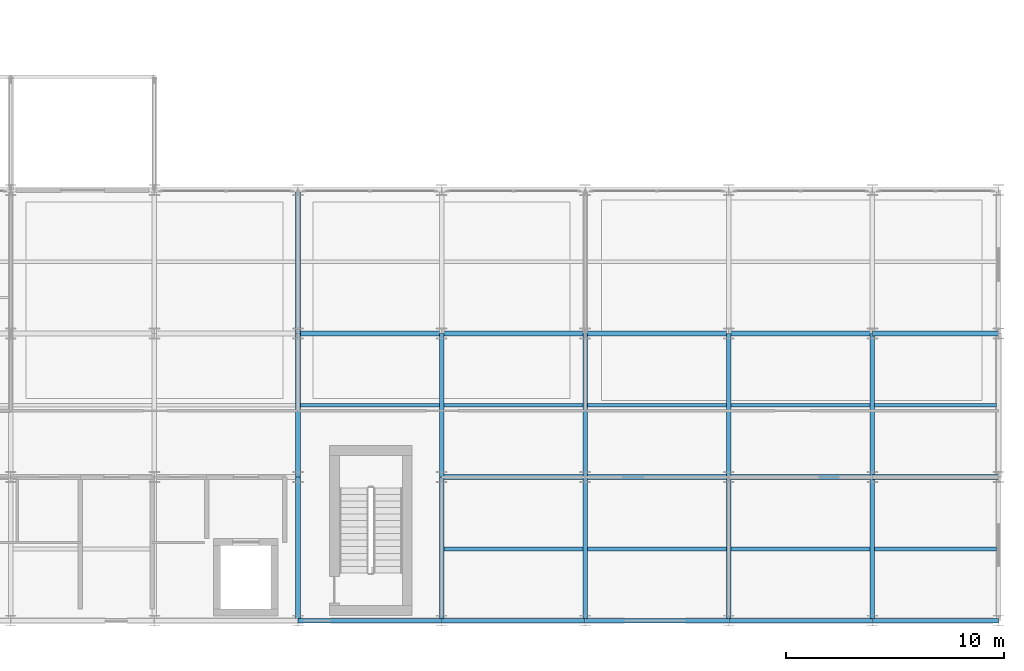
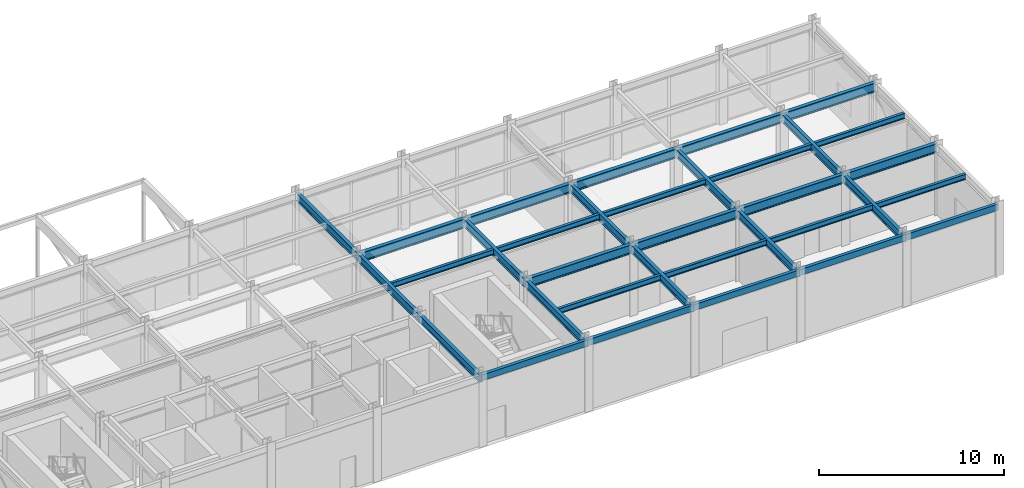
# One storey, part 92 of 144: 34 beams.
"""IFC4 building model written with IfcOpenShell, lengths in metres."""

from ifc_helpers import new_model, si_unit, direction, frame, origin, origin_2d, place, context, subcontext, project, spatial, hollow_rectangle, i_section, extrude, material, material_profile, profile_set, type_object, element, save


model = new_model("IFC4")

# Units and contexts
model_context = context("Model", 3, precision=1e-05, world=origin(), true_north=direction((0.0, 1.0)))
body_context = subcontext(model_context, "Body", "Model", "MODEL_VIEW")
ifc_project = project(units=[si_unit("LENGTHUNIT", "METRE"), si_unit("AREAUNIT", "SQUARE_METRE"), si_unit("VOLUMEUNIT", "CUBIC_METRE"), si_unit("PLANEANGLEUNIT", "RADIAN"), si_unit("MASSUNIT", "GRAM", prefix="KILO")], contexts=[model_context])

# Site, building, storey
site_placement = place(None, origin())
site = spatial("IfcSite", under=ifc_project, at=site_placement, CompositionType="ELEMENT")
building_placement = place(site_placement, origin())
building = spatial("IfcBuilding", under=site, at=building_placement, Name="Karori Crest Natural Sciences Institute", CompositionType="ELEMENT")
storey_placement = place(building_placement, origin())
storey = spatial("IfcBuildingStorey", under=building, at=storey_placement, Name="L00", CompositionType="ELEMENT", Elevation=0.0)

# Beams
ifc_material_1 = material(Name="Structural steel AS/NZS 3679.1 Grade 350", Category="steel")
ifc_material_profile_1 = material_profile(ifc_material_1, i_section(OverallWidth=0.22900390625, OverallDepth=0.612060546875, WebThickness=0.011962890625, FlangeThickness=0.01953125, FilletRadius=0.013916015625, at=origin_2d()), Name="610UB125")
ifc_profile_set_1 = profile_set([ifc_material_profile_1], Name="Structural steel AS/NZS 3679.1 Grade 350")
beam_type_1 = type_object("IfcBeamType", Name="BT-04", PredefinedType="BEAM", material=ifc_profile_set_1)
beam_1_placement = place(storey_placement, frame((136.60009765625, 7.39990234375, 4.31396484375), z_axis=(1.0, 0.0, 0.0), x_axis=(0.0, 1.0, 0.0)))
element("IfcBeam", 1, at=beam_1_placement, inside=storey, type_object=beam_type_1, Name="Beam B-2033", PredefinedType="BEAM", context=body_context, shape_type="SweptSolid", body=[
    extrude(i_section(OverallWidth=0.22900390625, OverallDepth=0.612060546875, WebThickness=0.011962890625, FlangeThickness=0.01953125, FilletRadius=0.013916015625, at=origin_2d()), origin(), (0.0, 0.0, 1.0), 6.599853515625),
])
beam_2_placement = place(storey_placement, frame((143.199951171875, 7.39990234375, 4.31396484375), z_axis=(1.0, 0.0, 0.0), x_axis=(0.0, 1.0, 0.0)))
element("IfcBeam", 2, at=beam_2_placement, inside=storey, type_object=beam_type_1, Name="Beam B-2034", PredefinedType="BEAM", context=body_context, shape_type="SweptSolid", body=[
    extrude(i_section(OverallWidth=0.22900390625, OverallDepth=0.612060546875, WebThickness=0.011962890625, FlangeThickness=0.01953125, FilletRadius=0.013916015625, at=origin_2d()), origin(), (0.0, 0.0, 1.0), 6.60009765625),
])
beam_3_placement = place(storey_placement, frame((149.800048828125, 7.39990234375, 4.31396484375), z_axis=(1.0, 0.0, 0.0), x_axis=(0.0, 1.0, 0.0)))
element("IfcBeam", 3, at=beam_3_placement, inside=storey, type_object=beam_type_1, Name="Beam B-2035", PredefinedType="BEAM", context=body_context, shape_type="SweptSolid", body=[
    extrude(i_section(OverallWidth=0.22900390625, OverallDepth=0.612060546875, WebThickness=0.011962890625, FlangeThickness=0.01953125, FilletRadius=0.013916015625, at=origin_2d()), origin(), (0.0, 0.0, 1.0), 6.599853515625),
])
beam_4_placement = place(storey_placement, frame((156.39990234375, 7.39990234375, 4.31396484375), z_axis=(1.0, 0.0, 0.0), x_axis=(0.0, 1.0, 0.0)))
element("IfcBeam", 4, at=beam_4_placement, inside=storey, type_object=beam_type_1, Name="Beam B-2036", PredefinedType="BEAM", context=body_context, shape_type="SweptSolid", body=[
    extrude(i_section(OverallWidth=0.22900390625, OverallDepth=0.612060546875, WebThickness=0.011962890625, FlangeThickness=0.01953125, FilletRadius=0.013916015625, at=origin_2d()), origin(), (0.0, 0.0, 1.0), 5.800048828125),
])
beam_5_placement = place(storey_placement, frame((130.0, 14.0, 4.31396484375), z_axis=(1.0, 0.0, 0.0), x_axis=(0.0, 1.0, 0.0)))
element("IfcBeam", 5, at=beam_5_placement, inside=storey, type_object=beam_type_1, Name="Beam B-2041", PredefinedType="BEAM", context=body_context, shape_type="SweptSolid", body=[
    extrude(i_section(OverallWidth=0.22900390625, OverallDepth=0.612060546875, WebThickness=0.011962890625, FlangeThickness=0.01953125, FilletRadius=0.013916015625, at=origin_2d()), origin(), (0.0, 0.0, 1.0), 6.60009765625),
])
beam_6_placement = place(storey_placement, frame((136.60009765625, 14.0, 4.31396484375), z_axis=(1.0, 0.0, 0.0), x_axis=(0.0, 1.0, 0.0)))
element("IfcBeam", 6, at=beam_6_placement, inside=storey, type_object=beam_type_1, Name="Beam B-2042", PredefinedType="BEAM", context=body_context, shape_type="SweptSolid", body=[
    extrude(i_section(OverallWidth=0.22900390625, OverallDepth=0.612060546875, WebThickness=0.011962890625, FlangeThickness=0.01953125, FilletRadius=0.013916015625, at=origin_2d()), origin(), (0.0, 0.0, 1.0), 6.599853515625),
])
beam_7_placement = place(storey_placement, frame((143.199951171875, 14.0, 4.31396484375), z_axis=(1.0, 0.0, 0.0), x_axis=(0.0, 1.0, 0.0)))
element("IfcBeam", 7, at=beam_7_placement, inside=storey, type_object=beam_type_1, Name="Beam B-2043", PredefinedType="BEAM", context=body_context, shape_type="SweptSolid", body=[
    extrude(i_section(OverallWidth=0.22900390625, OverallDepth=0.612060546875, WebThickness=0.011962890625, FlangeThickness=0.01953125, FilletRadius=0.013916015625, at=origin_2d()), origin(), (0.0, 0.0, 1.0), 6.60009765625),
])
beam_8_placement = place(storey_placement, frame((149.800048828125, 14.0, 4.31396484375), z_axis=(1.0, 0.0, 0.0), x_axis=(0.0, 1.0, 0.0)))
element("IfcBeam", 8, at=beam_8_placement, inside=storey, type_object=beam_type_1, Name="Beam B-2044", PredefinedType="BEAM", context=body_context, shape_type="SweptSolid", body=[
    extrude(i_section(OverallWidth=0.22900390625, OverallDepth=0.612060546875, WebThickness=0.011962890625, FlangeThickness=0.01953125, FilletRadius=0.013916015625, at=origin_2d()), origin(), (0.0, 0.0, 1.0), 6.599853515625),
])
beam_9_placement = place(storey_placement, frame((156.39990234375, 14.0, 4.31396484375), z_axis=(1.0, 0.0, 0.0), x_axis=(0.0, 1.0, 0.0)))
element("IfcBeam", 9, at=beam_9_placement, inside=storey, type_object=beam_type_1, Name="Beam B-2045", PredefinedType="BEAM", context=body_context, shape_type="SweptSolid", body=[
    extrude(i_section(OverallWidth=0.22900390625, OverallDepth=0.612060546875, WebThickness=0.011962890625, FlangeThickness=0.01953125, FilletRadius=0.013916015625, at=origin_2d()), origin(), (0.0, 0.0, 1.0), 5.800048828125),
])
ifc_material_profile_2 = material_profile(ifc_material_1, i_section(OverallWidth=0.208984375, OverallDepth=0.532958984375, WebThickness=0.01025390625, FlangeThickness=0.015625, FilletRadius=0.013916015625, at=origin_2d()), Name="530UB92.4")
ifc_profile_set_2 = profile_set([ifc_material_profile_2], Name="Structural steel AS/NZS 3679.1 Grade 350")
beam_type_2 = type_object("IfcBeamType", Name="BT-05", PredefinedType="BEAM", material=ifc_profile_set_2)
beam_10_placement = place(storey_placement, frame((130.0, 0.800048828125, 4.353515625), z_axis=(0.0, 1.0, 0.0), x_axis=(-1.0, 0.0, 0.0)))
element("IfcBeam", 10, at=beam_10_placement, inside=storey, type_object=beam_type_2, Name="Beam B-2067", PredefinedType="BEAM", context=body_context, shape_type="SweptSolid", body=[
    extrude(i_section(OverallWidth=0.208984375, OverallDepth=0.532958984375, WebThickness=0.01025390625, FlangeThickness=0.015625, FilletRadius=0.013916015625, at=origin_2d()), origin(), (0.0, 0.0, 1.0), 6.599853515625),
])
for number, where, z_axis, x_axis, name in (
    (11, (130.0, 7.39990234375, 4.353515625), (0.0, 1.0, 0.0), (-1.0, 0.0, 0.0), "Beam B-2068"),
    (12, (130.0, 14.0, 4.353515625), (0.0, 1.0, 0.0), (-1.0, 0.0, 0.0), "Beam B-2069"),
):
    element("IfcBeam", number, at=place(storey_placement, frame(where, z_axis=z_axis, x_axis=x_axis)), inside=storey, type_object=beam_type_2, Name=name, PredefinedType="BEAM", context=body_context, shape_type="SweptSolid", body=[
        extrude(i_section(OverallWidth=0.208984375, OverallDepth=0.532958984375, WebThickness=0.01025390625, FlangeThickness=0.015625, FilletRadius=0.013916015625, at=origin_2d()), origin(), (0.0, 0.0, 1.0), 6.60009765625),
    ])
beam_11_placement = place(storey_placement, frame((136.60009765625, 0.800048828125, 4.353515625), z_axis=(0.0, 1.0, 0.0), x_axis=(-1.0, 0.0, 0.0)))
element("IfcBeam", 13, at=beam_11_placement, inside=storey, type_object=beam_type_2, Name="Beam B-2070", PredefinedType="BEAM", context=body_context, shape_type="SweptSolid", body=[
    extrude(i_section(OverallWidth=0.208984375, OverallDepth=0.532958984375, WebThickness=0.01025390625, FlangeThickness=0.015625, FilletRadius=0.013916015625, at=origin_2d()), origin(), (0.0, 0.0, 1.0), 6.599853515625),
])
beam_12_placement = place(storey_placement, frame((136.60009765625, 7.39990234375, 4.353515625), z_axis=(0.0, 1.0, 0.0), x_axis=(-1.0, 0.0, 0.0)))
element("IfcBeam", 14, at=beam_12_placement, inside=storey, type_object=beam_type_2, Name="Beam B-2071", PredefinedType="BEAM", context=body_context, shape_type="SweptSolid", body=[
    extrude(i_section(OverallWidth=0.208984375, OverallDepth=0.532958984375, WebThickness=0.01025390625, FlangeThickness=0.015625, FilletRadius=0.013916015625, at=origin_2d()), origin(), (0.0, 0.0, 1.0), 6.60009765625),
])
beam_13_placement = place(storey_placement, frame((143.199951171875, 0.800048828125, 4.353515625), z_axis=(0.0, 1.0, 0.0), x_axis=(-1.0, 0.0, 0.0)))
element("IfcBeam", 15, at=beam_13_placement, inside=storey, type_object=beam_type_2, Name="Beam B-2073", PredefinedType="BEAM", context=body_context, shape_type="SweptSolid", body=[
    extrude(i_section(OverallWidth=0.208984375, OverallDepth=0.532958984375, WebThickness=0.01025390625, FlangeThickness=0.015625, FilletRadius=0.013916015625, at=origin_2d()), origin(), (0.0, 0.0, 1.0), 6.599853515625),
])
beam_14_placement = place(storey_placement, frame((143.199951171875, 7.39990234375, 4.353515625), z_axis=(0.0, 1.0, 0.0), x_axis=(-1.0, 0.0, 0.0)))
element("IfcBeam", 16, at=beam_14_placement, inside=storey, type_object=beam_type_2, Name="Beam B-2074", PredefinedType="BEAM", context=body_context, shape_type="SweptSolid", body=[
    extrude(i_section(OverallWidth=0.208984375, OverallDepth=0.532958984375, WebThickness=0.01025390625, FlangeThickness=0.015625, FilletRadius=0.013916015625, at=origin_2d()), origin(), (0.0, 0.0, 1.0), 6.60009765625),
])
beam_15_placement = place(storey_placement, frame((149.800048828125, 0.800048828125, 4.353515625), z_axis=(0.0, 1.0, 0.0), x_axis=(-1.0, 0.0, 0.0)))
element("IfcBeam", 17, at=beam_15_placement, inside=storey, type_object=beam_type_2, Name="Beam B-2076", PredefinedType="BEAM", context=body_context, shape_type="SweptSolid", body=[
    extrude(i_section(OverallWidth=0.208984375, OverallDepth=0.532958984375, WebThickness=0.01025390625, FlangeThickness=0.015625, FilletRadius=0.013916015625, at=origin_2d()), origin(), (0.0, 0.0, 1.0), 6.599853515625),
])
beam_16_placement = place(storey_placement, frame((149.800048828125, 7.39990234375, 4.353515625), z_axis=(0.0, 1.0, 0.0), x_axis=(-1.0, 0.0, 0.0)))
element("IfcBeam", 18, at=beam_16_placement, inside=storey, type_object=beam_type_2, Name="Beam B-2077", PredefinedType="BEAM", context=body_context, shape_type="SweptSolid", body=[
    extrude(i_section(OverallWidth=0.208984375, OverallDepth=0.532958984375, WebThickness=0.01025390625, FlangeThickness=0.015625, FilletRadius=0.013916015625, at=origin_2d()), origin(), (0.0, 0.0, 1.0), 6.60009765625),
])
beam_17_placement = place(storey_placement, frame((156.39990234375, 0.800048828125, 4.353515625), z_axis=(0.0, 1.0, 0.0), x_axis=(-1.0, 0.0, 0.0)))
element("IfcBeam", 19, at=beam_17_placement, inside=storey, type_object=beam_type_2, Name="Beam B-2079", PredefinedType="BEAM", context=body_context, shape_type="SweptSolid", body=[
    extrude(i_section(OverallWidth=0.208984375, OverallDepth=0.532958984375, WebThickness=0.01025390625, FlangeThickness=0.015625, FilletRadius=0.013916015625, at=origin_2d()), origin(), (0.0, 0.0, 1.0), 6.599853515625),
])
beam_18_placement = place(storey_placement, frame((156.39990234375, 7.39990234375, 4.353515625), z_axis=(0.0, 1.0, 0.0), x_axis=(-1.0, 0.0, 0.0)))
element("IfcBeam", 20, at=beam_18_placement, inside=storey, type_object=beam_type_2, Name="Beam B-2080", PredefinedType="BEAM", context=body_context, shape_type="SweptSolid", body=[
    extrude(i_section(OverallWidth=0.208984375, OverallDepth=0.532958984375, WebThickness=0.01025390625, FlangeThickness=0.015625, FilletRadius=0.013916015625, at=origin_2d()), origin(), (0.0, 0.0, 1.0), 6.60009765625),
])
ifc_material_profile_3 = material_profile(ifc_material_1, i_section(OverallWidth=0.172119140625, OverallDepth=0.35888671875, WebThickness=0.008056640625, FlangeThickness=0.012939453125, FilletRadius=0.010986328125, at=origin_2d()), Name="360UB56.7")
ifc_profile_set_3 = profile_set([ifc_material_profile_3], Name="Structural steel AS/NZS 3679.1 Grade 350")
beam_type_3 = type_object("IfcBeamType", Name="BT-08", PredefinedType="BEAM", material=ifc_profile_set_3)
beam_19_placement = place(storey_placement, frame((130.1044921875, 10.699951171875, 4.4404296875), z_axis=(1.0, 0.0, 0.0), x_axis=(0.0, 1.0, 0.0)))
element("IfcBeam", 21, at=beam_19_placement, inside=storey, type_object=beam_type_3, Name="Beam B-2095", PredefinedType="BEAM", context=body_context, shape_type="SweptSolid", body=[
    extrude(i_section(OverallWidth=0.172119140625, OverallDepth=0.35888671875, WebThickness=0.008056640625, FlangeThickness=0.012939453125, FilletRadius=0.010986328125, at=origin_2d()), origin(), (0.0, 0.0, 1.0), 6.39111328125),
])
for number, where, z_axis, x_axis, name in (
    (22, (136.70458984375, 4.10009765625, 4.4404296875), (1.0, 0.0, 0.0), (0.0, 1.0, 0.0), "Beam B-2097"),
    (23, (136.70458984375, 10.699951171875, 4.4404296875), (1.0, 0.0, 0.0), (0.0, 1.0, 0.0), "Beam B-2098"),
):
    element("IfcBeam", number, at=place(storey_placement, frame(where, z_axis=z_axis, x_axis=x_axis)), inside=storey, type_object=beam_type_3, Name=name, PredefinedType="BEAM", context=body_context, shape_type="SweptSolid", body=[
        extrude(i_section(OverallWidth=0.172119140625, OverallDepth=0.35888671875, WebThickness=0.008056640625, FlangeThickness=0.012939453125, FilletRadius=0.010986328125, at=origin_2d()), origin(), (0.0, 0.0, 1.0), 6.390869140625),
    ])
for number, where, z_axis, x_axis, name in (
    (24, (143.304443359375, 4.10009765625, 4.4404296875), (1.0, 0.0, 0.0), (0.0, 1.0, 0.0), "Beam B-2100"),
    (25, (143.304443359375, 10.699951171875, 4.4404296875), (1.0, 0.0, 0.0), (0.0, 1.0, 0.0), "Beam B-2101"),
):
    element("IfcBeam", number, at=place(storey_placement, frame(where, z_axis=z_axis, x_axis=x_axis)), inside=storey, type_object=beam_type_3, Name=name, PredefinedType="BEAM", context=body_context, shape_type="SweptSolid", body=[
        extrude(i_section(OverallWidth=0.172119140625, OverallDepth=0.35888671875, WebThickness=0.008056640625, FlangeThickness=0.012939453125, FilletRadius=0.010986328125, at=origin_2d()), origin(), (0.0, 0.0, 1.0), 6.39111328125),
    ])
for number, where, z_axis, x_axis, name in (
    (26, (149.904541015625, 4.10009765625, 4.4404296875), (1.0, 0.0, 0.0), (0.0, 1.0, 0.0), "Beam B-2103"),
    (27, (149.904541015625, 10.699951171875, 4.4404296875), (1.0, 0.0, 0.0), (0.0, 1.0, 0.0), "Beam B-2104"),
):
    element("IfcBeam", number, at=place(storey_placement, frame(where, z_axis=z_axis, x_axis=x_axis)), inside=storey, type_object=beam_type_3, Name=name, PredefinedType="BEAM", context=body_context, shape_type="SweptSolid", body=[
        extrude(i_section(OverallWidth=0.172119140625, OverallDepth=0.35888671875, WebThickness=0.008056640625, FlangeThickness=0.012939453125, FilletRadius=0.010986328125, at=origin_2d()), origin(), (0.0, 0.0, 1.0), 6.390869140625),
    ])
for number, where, z_axis, x_axis, name in (
    (28, (156.50439453125, 4.10009765625, 4.4404296875), (1.0, 0.0, 0.0), (0.0, 1.0, 0.0), "Beam B-2106"),
    (29, (156.50439453125, 10.699951171875, 4.4404296875), (1.0, 0.0, 0.0), (0.0, 1.0, 0.0), "Beam B-2107"),
):
    element("IfcBeam", number, at=place(storey_placement, frame(where, z_axis=z_axis, x_axis=x_axis)), inside=storey, type_object=beam_type_3, Name=name, PredefinedType="BEAM", context=body_context, shape_type="SweptSolid", body=[
        extrude(i_section(OverallWidth=0.172119140625, OverallDepth=0.35888671875, WebThickness=0.008056640625, FlangeThickness=0.012939453125, FilletRadius=0.010986328125, at=origin_2d()), origin(), (0.0, 0.0, 1.0), 5.591064453125),
    ])
ifc_material_2 = material(Name="Hollow structural steel AS/NZS 1163 Grade C350", Category="steel")
ifc_material_profile_4 = material_profile(ifc_material_2, hollow_rectangle(XDim=0.199951171875, YDim=0.39990234375, WallThickness=0.012451171875, at=origin_2d()), Name="RHS400x200x12.5")
ifc_profile_set_4 = profile_set([ifc_material_profile_4], Name="Hollow structural steel AS/NZS 1163 Grade C350")
beam_type_4 = type_object("IfcBeamType", Name="BT-14", PredefinedType="SPANDREL", material=ifc_profile_set_4)
beam_20_placement = place(storey_placement, frame((130.0, 0.800048828125, 4.419921875), z_axis=(1.0, 0.0, 0.0), x_axis=(0.0, 1.0, 0.0)))
element("IfcBeam", 30, at=beam_20_placement, inside=storey, type_object=beam_type_4, Name="Beam B-2025", PredefinedType="SPANDREL", context=body_context, shape_type="SweptSolid", body=[
    extrude(hollow_rectangle(XDim=0.199951171875, YDim=0.39990234375, WallThickness=0.012451171875, at=origin_2d()), origin(), (0.0, 0.0, 1.0), 6.60009765625),
])
beam_21_placement = place(storey_placement, frame((136.60009765625, 0.800048828125, 4.419921875), z_axis=(1.0, 0.0, 0.0), x_axis=(0.0, 1.0, 0.0)))
element("IfcBeam", 31, at=beam_21_placement, inside=storey, type_object=beam_type_4, Name="Beam B-2026", PredefinedType="SPANDREL", context=body_context, shape_type="SweptSolid", body=[
    extrude(hollow_rectangle(XDim=0.199951171875, YDim=0.39990234375, WallThickness=0.012451171875, at=origin_2d()), origin(), (0.0, 0.0, 1.0), 6.599853515625),
])
beam_22_placement = place(storey_placement, frame((143.199951171875, 0.800048828125, 4.419921875), z_axis=(1.0, 0.0, 0.0), x_axis=(0.0, 1.0, 0.0)))
element("IfcBeam", 32, at=beam_22_placement, inside=storey, type_object=beam_type_4, Name="Beam B-2027", PredefinedType="SPANDREL", context=body_context, shape_type="SweptSolid", body=[
    extrude(hollow_rectangle(XDim=0.199951171875, YDim=0.39990234375, WallThickness=0.012451171875, at=origin_2d()), origin(), (0.0, 0.0, 1.0), 6.60009765625),
])
beam_23_placement = place(storey_placement, frame((149.800048828125, 0.800048828125, 4.419921875), z_axis=(1.0, 0.0, 0.0), x_axis=(0.0, 1.0, 0.0)))
element("IfcBeam", 33, at=beam_23_placement, inside=storey, type_object=beam_type_4, Name="Beam B-2028", PredefinedType="SPANDREL", context=body_context, shape_type="SweptSolid", body=[
    extrude(hollow_rectangle(XDim=0.199951171875, YDim=0.39990234375, WallThickness=0.012451171875, at=origin_2d()), origin(), (0.0, 0.0, 1.0), 6.599853515625),
])
beam_24_placement = place(storey_placement, frame((156.39990234375, 0.800048828125, 4.419921875), z_axis=(1.0, 0.0, 0.0), x_axis=(0.0, 1.0, 0.0)))
element("IfcBeam", 34, at=beam_24_placement, inside=storey, type_object=beam_type_4, Name="Beam B-2029", PredefinedType="SPANDREL", context=body_context, shape_type="SweptSolid", body=[
    extrude(hollow_rectangle(XDim=0.199951171875, YDim=0.39990234375, WallThickness=0.012451171875, at=origin_2d()), origin(), (0.0, 0.0, 1.0), 5.800048828125),
])

save(model, "model.ifc")
